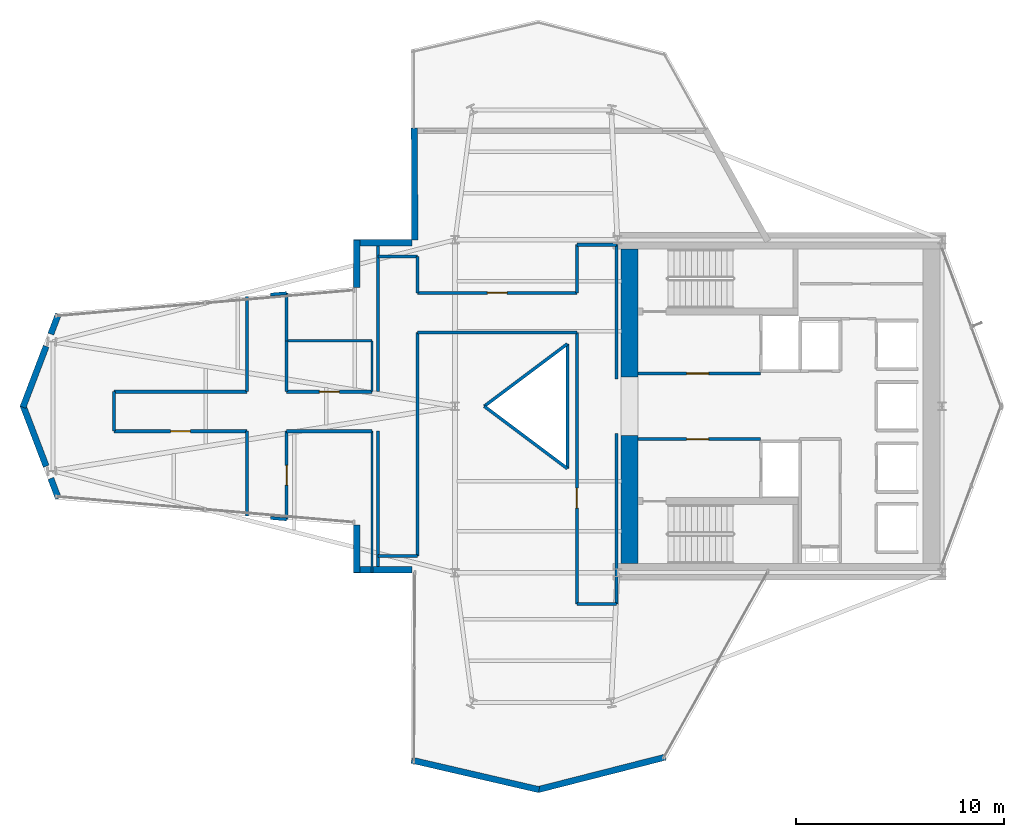
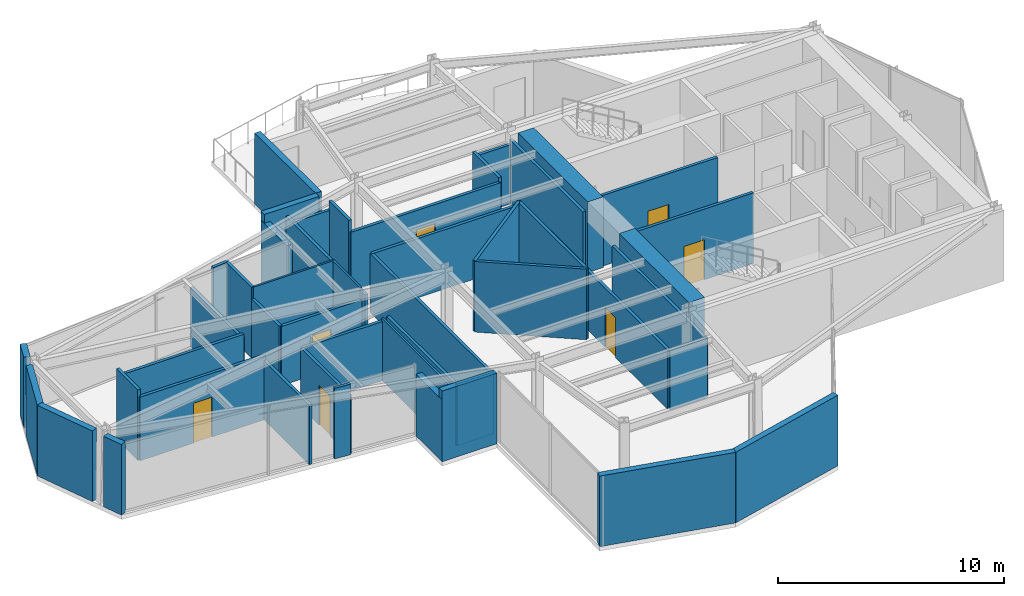
# One storey, part 19 of 23: 47 walls, 7 doors, 7 openings.
"""IFC4 building model written with IfcOpenShell, lengths in metres."""

from ifc_helpers import new_model, si_unit, direction, frame, frame_2d, origin, place, context, subcontext, project, spatial, rectangle, extrude, material, layer, layer_set, type_object, element, fill, save


model = new_model("IFC4")

# Units and contexts
model_context = context("Model", 3, precision=1e-05, world=origin(), true_north=direction((0.0, 1.0)))
body_context = subcontext(model_context, "Body", "Model", "MODEL_VIEW")
ifc_project = project(units=[si_unit("LENGTHUNIT", "METRE"), si_unit("AREAUNIT", "SQUARE_METRE"), si_unit("VOLUMEUNIT", "CUBIC_METRE"), si_unit("PLANEANGLEUNIT", "RADIAN"), si_unit("MASSUNIT", "GRAM", prefix="KILO")], contexts=[model_context])

# Site, building, storey
site_placement = place(None, origin())
site = spatial("IfcSite", under=ifc_project, at=site_placement, CompositionType="ELEMENT")
building_placement = place(site_placement, origin())
building = spatial("IfcBuilding", under=site, at=building_placement, Name="Veymaron Broadcast Tower", CompositionType="ELEMENT")
storey_placement = place(building_placement, frame((0.0, 0.0, 161.39990234375)))
storey = spatial("IfcBuildingStorey", under=building, at=storey_placement, Name="L37", CompositionType="ELEMENT", Elevation=161.39990234375)

# Walls
ifc_material_1 = material(Name="Precast concrete C40/50 with mineral-wool insulation", Category="concrete")
ifc_layer_1 = layer(ifc_material_1, 0.300048828125)
ifc_layer_set_1 = layer_set([ifc_layer_1], Name="Precast concrete C40/50 with mineral-wool insulation")
wall_type_1 = type_object("IfcWallType", Name="WALL-EXT-300", PredefinedType="STANDARD", material=ifc_layer_set_1)
wall_1_placement = place(storey_placement, frame((29.2392578125, 37.36669921875, 0.0), z_axis=(0.0, 0.0, 1.0), x_axis=(0.004686240002, -0.999989019517, 0.0)))
element("IfcWall", 1, at=wall_1_placement, inside=storey, type_object=wall_type_1, Name="L37 notched corner facade pier 8-1", PredefinedType="STANDARD", context=body_context, shape_type="SweptSolid", body=[
    extrude(rectangle(XDim=5.365966796875, YDim=0.300048828125, at=frame_2d((2.68310546875, 0.0))), origin(), (0.0, 0.0, 1.0), 3.81005859375),
])
wall_2_placement = place(storey_placement, frame((29.124267578125, 31.860107421875, 0.0), z_axis=(0.0, 0.0, 1.0), x_axis=(-1.0, 0.0, 0.0)))
element("IfcWall", 2, at=wall_2_placement, inside=storey, type_object=wall_type_1, Name="L37 notched corner facade pier 9-1", PredefinedType="STANDARD", context=body_context, shape_type="SweptSolid", body=[
    extrude(rectangle(XDim=2.79638671875, YDim=0.300048828125, at=frame_2d((1.398193359375, 0.0))), origin(), (0.0, 0.0, 1.0), 3.81005859375),
])
wall_3_placement = place(storey_placement, frame((26.468017578125, 32.0, 0.0), z_axis=(0.0, 0.0, 1.0), x_axis=(0.0, -1.0, 0.0)))
element("IfcWall", 3, at=wall_3_placement, inside=storey, type_object=wall_type_1, Name="L37 notched corner facade pier 10-1", PredefinedType="STANDARD", context=body_context, shape_type="SweptSolid", body=[
    extrude(rectangle(XDim=2.284423828125, YDim=0.300048828125, at=frame_2d((1.14208984375, 0.0))), origin(), (0.0, 0.0, 1.0), 3.338134765625),
])
wall_4_placement = place(storey_placement, frame((12.130859375, 28.425537109375, 0.0), z_axis=(0.0, 0.0, 1.0), x_axis=(-0.355806520877, -0.934559639457, 0.0)))
element("IfcWall", 4, at=wall_4_placement, inside=storey, type_object=wall_type_1, Name="L37 notched corner facade pier 12-1", PredefinedType="STANDARD", context=body_context, shape_type="SweptSolid", body=[
    extrude(rectangle(XDim=1.021728515625, YDim=0.300048828125, at=frame_2d((0.5107421875, 0.0))), origin(), (0.0, 0.0, 1.0), 3.81005859375),
])
for number, where, z_axis, x_axis, name in (
    (5, (11.543212890625, 26.882080078125, 0.0), (0.0, 0.0, 1.0), (-0.355869117874, -0.934535805062, 0.0), "L37 notched corner facade pier 12-2"),
    (6, (10.4267578125, 24.0498046875, 0.0), (0.0, 0.0, 1.0), (0.355869117874, -0.934535805062, 0.0), "L37 notched corner facade pier 13-1"),
):
    element("IfcWall", number, at=place(storey_placement, frame(where, z_axis=z_axis, x_axis=x_axis)), inside=storey, type_object=wall_type_1, Name=name, PredefinedType="STANDARD", context=body_context, shape_type="SweptSolid", body=[
        extrude(rectangle(XDim=3.13720703125, YDim=0.300048828125, at=frame_2d((1.568603515625, 0.0))), origin(), (0.0, 0.0, 1.0), 3.81005859375),
    ])
wall_5_placement = place(storey_placement, frame((11.767333984375, 20.529296875, 0.0), z_axis=(0.0, 0.0, 1.0), x_axis=(0.355806520877, -0.934559639457, 0.0)))
element("IfcWall", 7, at=wall_5_placement, inside=storey, type_object=wall_type_1, Name="L37 notched corner facade pier 13-2", PredefinedType="STANDARD", context=body_context, shape_type="SweptSolid", body=[
    extrude(rectangle(XDim=1.021728515625, YDim=0.300048828125, at=frame_2d((0.5107421875, 0.0))), origin(), (0.0, 0.0, 1.0), 3.81005859375),
])
wall_6_placement = place(storey_placement, frame((26.468017578125, 18.284423828125, 0.0), z_axis=(0.0, 0.0, 1.0), x_axis=(0.0, -1.0, 0.0)))
element("IfcWall", 8, at=wall_6_placement, inside=storey, type_object=wall_type_1, Name="L37 notched corner facade pier 15-1", PredefinedType="STANDARD", context=body_context, shape_type="SweptSolid", body=[
    extrude(rectangle(XDim=2.284423828125, YDim=0.300048828125, at=frame_2d((1.14208984375, 0.0))), origin(), (0.0, 0.0, 1.0), 3.338134765625),
])
wall_7_placement = place(storey_placement, frame((26.327880859375, 16.139892578125, 0.0), z_axis=(0.0, 0.0, 1.0), x_axis=(1.0, 0.0, 0.0)))
element("IfcWall", 9, at=wall_7_placement, inside=storey, type_object=wall_type_1, Name="L37 notched corner facade pier 16-1", PredefinedType="STANDARD", context=body_context, shape_type="SweptSolid", body=[
    extrude(rectangle(XDim=2.79638671875, YDim=0.300048828125, at=frame_2d((1.398193359375, 0.0))), origin(), (0.0, 0.0, 1.0), 3.81005859375),
])
wall_8_placement = place(storey_placement, frame((29.11328125, 6.990478515625, 0.0), z_axis=(0.0, 0.0, 1.0), x_axis=(0.974151093658, -0.225897425227, 0.0)))
element("IfcWall", 10, at=wall_8_placement, inside=storey, type_object=wall_type_1, Name="L37 notched corner facade pier 18-1", PredefinedType="STANDARD", context=body_context, shape_type="SweptSolid", body=[
    extrude(rectangle(XDim=6.286865234375, YDim=0.300048828125, at=frame_2d((3.1435546875, 0.0))), origin(), (0.0, 0.0, 1.0), 3.81005859375),
])
wall_9_placement = place(storey_placement, frame((35.17138671875, 5.569580078125, 0.0), z_axis=(0.0, 0.0, 1.0), x_axis=(0.968979537422, 0.24714096394, 0.0)))
element("IfcWall", 11, at=wall_9_placement, inside=storey, type_object=wall_type_1, Name="L37 notched corner facade pier 19-1", PredefinedType="STANDARD", context=body_context, shape_type="SweptSolid", body=[
    extrude(rectangle(XDim=6.3203125, YDim=0.300048828125, at=frame_2d((3.16015625, 0.0))), origin(), (0.0, 0.0, 1.0), 3.81005859375),
])

# Wall, opening, door
ifc_material_2 = material(Name="Gypsum fireboard and steel stud framing", Category="steel")
ifc_layer_2 = layer(ifc_material_2, 0.14990234375)
ifc_layer_set_2 = layer_set([ifc_layer_2], Name="Gypsum fireboard and steel stud framing")
wall_type_2 = type_object("IfcWallType", Name="WALL-FIRE-150", PredefinedType="PARTITIONING", material=ifc_layer_set_2)
wall_10_placement = place(storey_placement, frame((39.97998046875, 25.574951171875, 0.0), z_axis=(0.0, 0.0, 1.0), x_axis=(1.0, 0.0, 0.0)))
wall_10 = element("IfcWall", 12, at=wall_10_placement, inside=storey, type_object=wall_type_2, Name="L37 partition IW-L37-FFLN-S", PredefinedType="PARTITIONING", context=body_context, shape_type="SweptSolid", body=[
    extrude(rectangle(XDim=5.89990234375, YDim=0.14990234375, at=frame_2d((2.949951171875, 0.0))), origin(), (0.0, 0.0, 1.0), 3.81005859375),
])
opening_1_placement = place(wall_10_placement, frame((2.35009765625, 0.0, 0.0)))
opening_1 = element("IfcOpeningElement", 13, at=opening_1_placement, cuts=wall_10, Name="Opening ID-FL1", PredefinedType="OPENING", context=body_context, shape_type="SweptSolid", body=[
    extrude(rectangle(XDim=1.050048828125, YDim=2.14990234375, at=frame_2d((0.52490234375, 1.074951171875))), frame((0.0, 0.0849609375, 0.0), z_axis=(0.0, -1.0, 0.0), x_axis=(1.0, 0.0, 0.0)), (0.0, 0.0, 1.0), 0.169921875),
])
ifc_material_3 = material(Name="Fire-rated painted hollow steel ASTM A653", Category="steel")
door_type_1 = type_object("IfcDoorType", Name="DOOR-FIRE-1050", OperationType="NOTDEFINED", PredefinedType="DOOR", material=ifc_material_3)
door_1_placement = place(opening_1_placement, origin())
door_1 = element("IfcDoor", 14, at=door_1_placement, inside=storey, type_object=door_type_1, Name="L37 door DR-L37-FFLN", OperationType="SINGLE_SWING_LEFT", OverallHeight=2.14990234375, OverallWidth=1.050048828125, PredefinedType="DOOR", context=body_context, shape_type="SweptSolid", body=[
    extrude(rectangle(XDim=1.050048828125, YDim=2.14990234375, at=frame_2d((0.52490234375, 1.074951171875))), frame((0.0, 0.02490234375, 0.0), z_axis=(0.0, -1.0, 0.0), x_axis=(1.0, 0.0, 0.0)), (0.0, 0.0, 1.0), 0.050048828125),
])
fill(opening_1, door_1)

wall_11_placement = place(storey_placement, frame((39.97998046875, 22.425048828125, 0.0), z_axis=(0.0, 0.0, 1.0), x_axis=(1.0, 0.0, 0.0)))
wall_11 = element("IfcWall", 15, at=wall_11_placement, inside=storey, type_object=wall_type_2, Name="L37 partition IW-L37-FFLS-N", PredefinedType="PARTITIONING", context=body_context, shape_type="SweptSolid", body=[
    extrude(rectangle(XDim=5.89990234375, YDim=0.14990234375, at=frame_2d((2.949951171875, 0.0))), origin(), (0.0, 0.0, 1.0), 3.81005859375),
])
opening_2_placement = place(wall_11_placement, frame((2.35009765625, 0.0, 0.0)))
opening_2 = element("IfcOpeningElement", 16, at=opening_2_placement, cuts=wall_11, Name="Opening ID-FL1", PredefinedType="OPENING", context=body_context, shape_type="SweptSolid", body=[
    extrude(rectangle(XDim=1.050048828125, YDim=2.14990234375, at=frame_2d((0.52490234375, 1.074951171875))), frame((0.0, 0.0849609375, 0.0), z_axis=(0.0, -1.0, 0.0), x_axis=(1.0, 0.0, 0.0)), (0.0, 0.0, 1.0), 0.169921875),
])
door_2_placement = place(opening_2_placement, frame((1.050048828125, 0.0, 0.0), z_axis=(0.0, 0.0, 1.0), x_axis=(-1.0, 0.0, 0.0)))
door_2 = element("IfcDoor", 17, at=door_2_placement, inside=storey, type_object=door_type_1, Name="L37 door DR-L37-FFLS", OperationType="SINGLE_SWING_RIGHT", OverallHeight=2.14990234375, OverallWidth=1.050048828125, PredefinedType="DOOR", context=body_context, shape_type="SweptSolid", body=[
    extrude(rectangle(XDim=1.050048828125, YDim=2.14990234375, at=frame_2d((0.52490234375, 1.074951171875))), frame((0.0, 0.02490234375, 0.0), z_axis=(0.0, -1.0, 0.0), x_axis=(1.0, 0.0, 0.0)), (0.0, 0.0, 1.0), 0.050048828125),
])
fill(opening_2, door_2)

wall_12_placement = place(storey_placement, frame((37.050048828125, 14.5, 0.0), z_axis=(0.0, 0.0, 1.0), x_axis=(0.0, 1.0, 0.0)))
wall_12 = element("IfcWall", 18, at=wall_12_placement, inside=storey, type_object=wall_type_2, Name="L37 partition IW-L37-P01", PredefinedType="PARTITIONING", context=body_context, shape_type="SweptSolid", body=[
    extrude(rectangle(XDim=13.050048828125, YDim=0.14990234375, at=frame_2d((6.52490234375, 0.0))), origin(), (0.0, 0.0, 1.0), 3.190185546875),
])
opening_3_placement = place(wall_12_placement, frame((4.610107421875, 0.0, 0.0)))
opening_3 = element("IfcOpeningElement", 19, at=opening_3_placement, cuts=wall_12, Name="Opening ID-RM1", PredefinedType="OPENING", context=body_context, shape_type="SweptSolid", body=[
    extrude(rectangle(XDim=0.949951171875, YDim=2.14990234375, at=frame_2d((0.47509765625, 1.074951171875))), frame((0.0, 0.0849609375, 0.0), z_axis=(0.0, -1.0, 0.0), x_axis=(1.0, 0.0, 0.0)), (0.0, 0.0, 1.0), 0.169921875),
])
ifc_material_4 = material(Name="Acoustic solid-core European oak veneer timber", Category="wood")
door_type_2 = type_object("IfcDoorType", Name="DOOR-INT-950", OperationType="NOTDEFINED", PredefinedType="DOOR", material=ifc_material_4)
door_3_placement = place(opening_3_placement, frame((0.949951171875, 0.0, 0.0), z_axis=(0.0, 0.0, 1.0), x_axis=(-1.0, 0.0, 0.0)))
door_3 = element("IfcDoor", 20, at=door_3_placement, inside=storey, type_object=door_type_2, Name="L37 door DR-L37-P01", OperationType="SINGLE_SWING_RIGHT", OverallHeight=2.14990234375, OverallWidth=0.949951171875, PredefinedType="DOOR", context=body_context, shape_type="SweptSolid", body=[
    extrude(rectangle(XDim=0.949951171875, YDim=2.14990234375, at=frame_2d((0.47509765625, 1.074951171875))), frame((0.0, 0.02490234375, 0.0), z_axis=(0.0, -1.0, 0.0), x_axis=(1.0, 0.0, 0.0)), (0.0, 0.0, 1.0), 0.050048828125),
])
fill(opening_3, door_3)

wall_13_placement = place(storey_placement, frame((23.10009765625, 18.563720703125, 0.0), z_axis=(0.0, 0.0, 1.0), x_axis=(0.0, 1.0, 0.0)))
wall_13 = element("IfcWall", 21, at=wall_13_placement, inside=storey, type_object=wall_type_2, Name="L37 partition IW-L37-P08", PredefinedType="PARTITIONING", context=body_context, shape_type="SweptSolid", body=[
    extrude(rectangle(XDim=4.236328125, YDim=0.14990234375, at=frame_2d((2.1181640625, 0.0))), origin(), (0.0, 0.0, 1.0), 3.190185546875),
])
opening_4_placement = place(wall_13_placement, frame((1.64306640625, 0.0, 0.0)))
opening_4 = element("IfcOpeningElement", 22, at=opening_4_placement, cuts=wall_13, Name="Opening ID-RM1", PredefinedType="OPENING", context=body_context, shape_type="SweptSolid", body=[
    extrude(rectangle(XDim=0.949951171875, YDim=2.14990234375, at=frame_2d((0.47509765625, 1.074951171875))), frame((0.0, 0.0849609375, 0.0), z_axis=(0.0, -1.0, 0.0), x_axis=(1.0, 0.0, 0.0)), (0.0, 0.0, 1.0), 0.169921875),
])
door_4_placement = place(opening_4_placement, frame((0.949951171875, 0.0, 0.0), z_axis=(0.0, 0.0, 1.0), x_axis=(-1.0, 0.0, 0.0)))
door_4 = element("IfcDoor", 23, at=door_4_placement, inside=storey, type_object=door_type_2, Name="L37 door DR-L37-P08", OperationType="SINGLE_SWING_LEFT", OverallHeight=2.14990234375, OverallWidth=0.949951171875, PredefinedType="DOOR", context=body_context, shape_type="SweptSolid", body=[
    extrude(rectangle(XDim=0.949951171875, YDim=2.14990234375, at=frame_2d((0.47509765625, 1.074951171875))), frame((0.0, 0.02490234375, 0.0), z_axis=(0.0, -1.0, 0.0), x_axis=(1.0, 0.0, 0.0)), (0.0, 0.0, 1.0), 0.050048828125),
])
fill(opening_4, door_4)

wall_14_placement = place(storey_placement, frame((14.7958984375, 22.800048828125, 0.0), z_axis=(0.0, 0.0, 1.0), x_axis=(1.0, 0.0, 0.0)))
wall_14 = element("IfcWall", 24, at=wall_14_placement, inside=storey, type_object=wall_type_2, Name="L37 partition IW-L37-P11", PredefinedType="PARTITIONING", context=body_context, shape_type="SweptSolid", body=[
    extrude(rectangle(XDim=6.404052734375, YDim=0.14990234375, at=frame_2d((3.2021484375, 0.0))), origin(), (0.0, 0.0, 1.0), 3.443115234375),
])
opening_5_placement = place(wall_14_placement, frame((2.72705078125, 0.0, 0.0)))
opening_5 = element("IfcOpeningElement", 25, at=opening_5_placement, cuts=wall_14, Name="Opening ID-RM1", PredefinedType="OPENING", context=body_context, shape_type="SweptSolid", body=[
    extrude(rectangle(XDim=0.949951171875, YDim=2.14990234375, at=frame_2d((0.47509765625, 1.074951171875))), frame((0.0, 0.0849609375, 0.0), z_axis=(0.0, -1.0, 0.0), x_axis=(1.0, 0.0, 0.0)), (0.0, 0.0, 1.0), 0.169921875),
])
door_5_placement = place(opening_5_placement, frame((0.949951171875, 0.0, 0.0), z_axis=(0.0, 0.0, 1.0), x_axis=(-1.0, 0.0, 0.0)))
door_5 = element("IfcDoor", 26, at=door_5_placement, inside=storey, type_object=door_type_2, Name="L37 door DR-L37-P11", OperationType="SINGLE_SWING_RIGHT", OverallHeight=2.14990234375, OverallWidth=0.949951171875, PredefinedType="DOOR", context=body_context, shape_type="SweptSolid", body=[
    extrude(rectangle(XDim=0.949951171875, YDim=2.14990234375, at=frame_2d((0.47509765625, 1.074951171875))), frame((0.0, 0.02490234375, 0.0), z_axis=(0.0, -1.0, 0.0), x_axis=(1.0, 0.0, 0.0)), (0.0, 0.0, 1.0), 0.050048828125),
])
fill(opening_5, door_5)

wall_15_placement = place(storey_placement, frame((23.10009765625, 24.699951171875, 0.0), z_axis=(0.0, 0.0, 1.0), x_axis=(1.0, 0.0, 0.0)))
wall_15 = element("IfcWall", 27, at=wall_15_placement, inside=storey, type_object=wall_type_2, Name="L37 partition IW-L37-P16", PredefinedType="PARTITIONING", context=body_context, shape_type="SweptSolid", body=[
    extrude(rectangle(XDim=4.11279296875, YDim=0.14990234375, at=frame_2d((2.056396484375, 0.0))), origin(), (0.0, 0.0, 1.0), 3.190185546875),
])
opening_6_placement = place(wall_15_placement, frame((1.58154296875, 0.0, 0.0)))
opening_6 = element("IfcOpeningElement", 28, at=opening_6_placement, cuts=wall_15, Name="Opening ID-RM1", PredefinedType="OPENING", context=body_context, shape_type="SweptSolid", body=[
    extrude(rectangle(XDim=0.949951171875, YDim=2.14990234375, at=frame_2d((0.47509765625, 1.074951171875))), frame((0.0, 0.0849609375, 0.0), z_axis=(0.0, -1.0, 0.0), x_axis=(1.0, 0.0, 0.0)), (0.0, 0.0, 1.0), 0.169921875),
])
door_6_placement = place(opening_6_placement, origin())
door_6 = element("IfcDoor", 29, at=door_6_placement, inside=storey, type_object=door_type_2, Name="L37 door DR-L37-P16", OperationType="SINGLE_SWING_LEFT", OverallHeight=2.14990234375, OverallWidth=0.949951171875, PredefinedType="DOOR", context=body_context, shape_type="SweptSolid", body=[
    extrude(rectangle(XDim=0.949951171875, YDim=2.14990234375, at=frame_2d((0.47509765625, 1.074951171875))), frame((0.0, 0.02490234375, 0.0), z_axis=(0.0, -1.0, 0.0), x_axis=(1.0, 0.0, 0.0)), (0.0, 0.0, 1.0), 0.050048828125),
])
fill(opening_6, door_6)

wall_16_placement = place(storey_placement, frame((29.39990234375, 29.449951171875, 0.0), z_axis=(0.0, 0.0, 1.0), x_axis=(1.0, 0.0, 0.0)))
wall_16 = element("IfcWall", 30, at=wall_16_placement, inside=storey, type_object=wall_type_2, Name="L37 partition IW-L37-P18", PredefinedType="PARTITIONING", context=body_context, shape_type="SweptSolid", body=[
    extrude(rectangle(XDim=7.650146484375, YDim=0.14990234375, at=frame_2d((3.8251953125, 0.0))), origin(), (0.0, 0.0, 1.0), 3.190185546875),
])
opening_7_placement = place(wall_16_placement, frame((3.35009765625, 0.0, 0.0)))
opening_7 = element("IfcOpeningElement", 31, at=opening_7_placement, cuts=wall_16, Name="Opening ID-RM1", PredefinedType="OPENING", context=body_context, shape_type="SweptSolid", body=[
    extrude(rectangle(XDim=0.949951171875, YDim=2.14990234375, at=frame_2d((0.47509765625, 1.074951171875))), frame((0.0, 0.0849609375, 0.0), z_axis=(0.0, -1.0, 0.0), x_axis=(1.0, 0.0, 0.0)), (0.0, 0.0, 1.0), 0.169921875),
])
door_7_placement = place(opening_7_placement, origin())
door_7 = element("IfcDoor", 32, at=door_7_placement, inside=storey, type_object=door_type_2, Name="L37 door DR-L37-P18", OperationType="SINGLE_SWING_LEFT", OverallHeight=2.14990234375, OverallWidth=0.949951171875, PredefinedType="DOOR", context=body_context, shape_type="SweptSolid", body=[
    extrude(rectangle(XDim=0.949951171875, YDim=2.14990234375, at=frame_2d((0.47509765625, 1.074951171875))), frame((0.0, 0.02490234375, 0.0), z_axis=(0.0, -1.0, 0.0), x_axis=(1.0, 0.0, 0.0)), (0.0, 0.0, 1.0), 0.050048828125),
])
fill(opening_7, door_7)

# Walls
wall_17_placement = place(storey_placement, frame((29.39990234375, 16.800048828125, 0.0), z_axis=(0.0, 0.0, 1.0), x_axis=(0.0, 1.0, 0.0)))
element("IfcWall", 33, at=wall_17_placement, inside=storey, type_object=wall_type_2, Name="L37 partition IW-L37-P02", PredefinedType="PARTITIONING", context=body_context, shape_type="SweptSolid", body=[
    extrude(rectangle(XDim=10.75, YDim=0.14990234375, at=frame_2d((5.375, 0.0))), origin(), (0.0, 0.0, 1.0), 3.190185546875),
])
wall_18_placement = place(storey_placement, frame((38.949951171875, 14.5, 0.0), z_axis=(0.0, 0.0, 1.0), x_axis=(0.0, 1.0, 0.0)))
element("IfcWall", 34, at=wall_18_placement, inside=storey, type_object=wall_type_2, Name="L37 partition IW-L37-P03", PredefinedType="PARTITIONING", context=body_context, shape_type="SweptSolid", body=[
    extrude(rectangle(XDim=8.199951171875, YDim=0.14990234375, at=frame_2d((4.10009765625, 0.0))), origin(), (0.0, 0.0, 1.0), 3.190185546875),
])
wall_19_placement = place(storey_placement, frame((29.39990234375, 27.550048828125, 0.0), z_axis=(0.0, 0.0, 1.0), x_axis=(1.0, 0.0, 0.0)))
element("IfcWall", 35, at=wall_19_placement, inside=storey, type_object=wall_type_2, Name="L37 partition IW-L37-P04", PredefinedType="PARTITIONING", context=body_context, shape_type="SweptSolid", body=[
    extrude(rectangle(XDim=7.650146484375, YDim=0.14990234375, at=frame_2d((3.8251953125, 0.0))), origin(), (0.0, 0.0, 1.0), 3.190185546875),
])
wall_20_placement = place(storey_placement, frame((27.5, 16.139892578125, 0.0), z_axis=(0.0, 0.0, 1.0), x_axis=(0.0, 1.0, 0.0)))
element("IfcWall", 36, at=wall_20_placement, inside=storey, type_object=wall_type_2, Name="L37 partition IW-L37-P05", PredefinedType="PARTITIONING", context=body_context, shape_type="SweptSolid", body=[
    extrude(rectangle(XDim=6.66015625, YDim=0.14990234375, at=frame_2d((3.330078125, 0.0))), origin(), (0.0, 0.0, 1.0), 3.338134765625),
])
wall_21_placement = place(storey_placement, frame((37.050048828125, 14.5, 0.0), z_axis=(0.0, 0.0, 1.0), x_axis=(1.0, 0.0, 0.0)))
element("IfcWall", 37, at=wall_21_placement, inside=storey, type_object=wall_type_2, Name="L37 partition IW-L37-P06", PredefinedType="PARTITIONING", context=body_context, shape_type="SweptSolid", body=[
    extrude(rectangle(XDim=1.89990234375, YDim=0.14990234375, at=frame_2d((0.949951171875, 0.0))), origin(), (0.0, 0.0, 1.0), 3.190185546875),
])
wall_22_placement = place(storey_placement, frame((27.5, 16.800048828125, 0.0), z_axis=(0.0, 0.0, 1.0), x_axis=(1.0, 0.0, 0.0)))
element("IfcWall", 38, at=wall_22_placement, inside=storey, type_object=wall_type_2, Name="L37 partition IW-L37-P07", PredefinedType="PARTITIONING", context=body_context, shape_type="SweptSolid", body=[
    extrude(rectangle(XDim=1.89990234375, YDim=0.14990234375, at=frame_2d((0.949951171875, 0.0))), origin(), (0.0, 0.0, 1.0), 3.338134765625),
])
wall_23_placement = place(storey_placement, frame((23.10009765625, 22.800048828125, 0.0), z_axis=(0.0, 0.0, 1.0), x_axis=(1.0, 0.0, 0.0)))
element("IfcWall", 39, at=wall_23_placement, inside=storey, type_object=wall_type_2, Name="L37 partition IW-L37-P09", PredefinedType="PARTITIONING", context=body_context, shape_type="SweptSolid", body=[
    extrude(rectangle(XDim=4.11279296875, YDim=0.14990234375, at=frame_2d((2.056396484375, 0.0))), origin(), (0.0, 0.0, 1.0), 3.190185546875),
])
wall_24_placement = place(storey_placement, frame((22.328369140625, 18.630615234375, 0.0), z_axis=(0.0, 0.0, 1.0), x_axis=(0.996264203876, -0.086357605777, 0.0)))
element("IfcWall", 40, at=wall_24_placement, inside=storey, type_object=wall_type_2, Name="L37 partition IW-L37-P10", PredefinedType="PARTITIONING", context=body_context, shape_type="SweptSolid", body=[
    extrude(rectangle(XDim=0.774658203125, YDim=0.14990234375, at=frame_2d((0.38720703125, 0.0))), origin(), (0.0, 0.0, 1.0), 3.81005859375),
])
wall_25_placement = place(storey_placement, frame((14.7958984375, 24.699951171875, 0.0), z_axis=(0.0, 0.0, 1.0), x_axis=(1.0, 0.0, 0.0)))
element("IfcWall", 41, at=wall_25_placement, inside=storey, type_object=wall_type_2, Name="L37 partition IW-L37-P12", PredefinedType="PARTITIONING", context=body_context, shape_type="SweptSolid", body=[
    extrude(rectangle(XDim=6.404052734375, YDim=0.14990234375, at=frame_2d((3.2021484375, 0.0))), origin(), (0.0, 0.0, 1.0), 3.443115234375),
])
wall_26_placement = place(storey_placement, frame((21.199951171875, 24.699951171875, 0.0), z_axis=(0.0, 0.0, 1.0), x_axis=(0.0, 1.0, 0.0)))
element("IfcWall", 42, at=wall_26_placement, inside=storey, type_object=wall_type_2, Name="L37 partition IW-L37-P13", PredefinedType="PARTITIONING", context=body_context, shape_type="SweptSolid", body=[
    extrude(rectangle(XDim=4.57177734375, YDim=0.14990234375, at=frame_2d((2.285888671875, 0.0))), origin(), (0.0, 0.0, 1.0), 3.190185546875),
])
wall_27_placement = place(storey_placement, frame((21.199951171875, 18.728271484375, 0.0), z_axis=(0.0, 0.0, 1.0), x_axis=(0.0, 1.0, 0.0)))
element("IfcWall", 43, at=wall_27_placement, inside=storey, type_object=wall_type_2, Name="L37 partition IW-L37-P14", PredefinedType="PARTITIONING", context=body_context, shape_type="SweptSolid", body=[
    extrude(rectangle(XDim=4.07177734375, YDim=0.14990234375, at=frame_2d((2.035888671875, 0.0))), origin(), (0.0, 0.0, 1.0), 3.190185546875),
])
wall_28_placement = place(storey_placement, frame((14.7958984375, 22.800048828125, 0.0), z_axis=(0.0, 0.0, 1.0), x_axis=(0.0, 1.0, 0.0)))
element("IfcWall", 44, at=wall_28_placement, inside=storey, type_object=wall_type_2, Name="L37 partition IW-L37-P15", PredefinedType="PARTITIONING", context=body_context, shape_type="SweptSolid", body=[
    extrude(rectangle(XDim=1.89990234375, YDim=0.14990234375, at=frame_2d((0.949951171875, 0.0))), origin(), (0.0, 0.0, 1.0), 3.81005859375),
])
wall_29_placement = place(storey_placement, frame((23.10009765625, 24.699951171875, 0.0), z_axis=(0.0, 0.0, 1.0), x_axis=(0.0, 1.0, 0.0)))
element("IfcWall", 45, at=wall_29_placement, inside=storey, type_object=wall_type_2, Name="L37 partition IW-L37-P17", PredefinedType="PARTITIONING", context=body_context, shape_type="SweptSolid", body=[
    extrude(rectangle(XDim=2.447998046875, YDim=0.14990234375, at=frame_2d((1.22412109375, 0.0))), origin(), (0.0, 0.0, 1.0), 3.190185546875),
])
wall_30_placement = place(storey_placement, frame((27.5, 24.699951171875, 0.0), z_axis=(0.0, 0.0, 1.0), x_axis=(0.0, 1.0, 0.0)))
element("IfcWall", 46, at=wall_30_placement, inside=storey, type_object=wall_type_2, Name="L37 partition IW-L37-P19", PredefinedType="PARTITIONING", context=body_context, shape_type="SweptSolid", body=[
    extrude(rectangle(XDim=7.16015625, YDim=0.14990234375, at=frame_2d((3.580078125, 0.0))), origin(), (0.0, 0.0, 1.0), 3.338134765625),
])
wall_31_placement = place(storey_placement, frame((38.949951171875, 25.300048828125, 0.0), z_axis=(0.0, 0.0, 1.0), x_axis=(0.0, 1.0, 0.0)))
element("IfcWall", 47, at=wall_31_placement, inside=storey, type_object=wall_type_2, Name="L37 partition IW-L37-P20", PredefinedType="PARTITIONING", context=body_context, shape_type="SweptSolid", body=[
    extrude(rectangle(XDim=6.466064453125, YDim=0.14990234375, at=frame_2d((3.23291015625, 0.0))), origin(), (0.0, 0.0, 1.0), 3.443115234375),
])
wall_32_placement = place(storey_placement, frame((37.050048828125, 29.449951171875, 0.0), z_axis=(0.0, 0.0, 1.0), x_axis=(0.0, 1.0, 0.0)))
element("IfcWall", 48, at=wall_32_placement, inside=storey, type_object=wall_type_2, Name="L37 partition IW-L37-P21", PredefinedType="PARTITIONING", context=body_context, shape_type="SweptSolid", body=[
    extrude(rectangle(XDim=2.316162109375, YDim=0.14990234375, at=frame_2d((1.158203125, 0.0))), origin(), (0.0, 0.0, 1.0), 3.443115234375),
])
wall_33_placement = place(storey_placement, frame((23.10009765625, 27.14794921875, 0.0), z_axis=(0.0, 0.0, 1.0), x_axis=(0.0, 1.0, 0.0)))
element("IfcWall", 49, at=wall_33_placement, inside=storey, type_object=wall_type_2, Name="L37 partition IW-L37-P22", PredefinedType="PARTITIONING", context=body_context, shape_type="SweptSolid", body=[
    extrude(rectangle(XDim=2.288330078125, YDim=0.14990234375, at=frame_2d((1.14404296875, 0.0))), origin(), (0.0, 0.0, 1.0), 3.81005859375),
])
wall_34_placement = place(storey_placement, frame((37.050048828125, 31.76611328125, 0.0), z_axis=(0.0, 0.0, 1.0), x_axis=(1.0, 0.0, 0.0)))
element("IfcWall", 50, at=wall_34_placement, inside=storey, type_object=wall_type_2, Name="L37 partition IW-L37-P23", PredefinedType="PARTITIONING", context=body_context, shape_type="SweptSolid", body=[
    extrude(rectangle(XDim=1.89990234375, YDim=0.14990234375, at=frame_2d((0.949951171875, 0.0))), origin(), (0.0, 0.0, 1.0), 3.190185546875),
])
wall_35_placement = place(storey_placement, frame((27.5, 31.199951171875, 0.0), z_axis=(0.0, 0.0, 1.0), x_axis=(1.0, 0.0, 0.0)))
element("IfcWall", 51, at=wall_35_placement, inside=storey, type_object=wall_type_2, Name="L37 partition IW-L37-P24", PredefinedType="PARTITIONING", context=body_context, shape_type="SweptSolid", body=[
    extrude(rectangle(XDim=1.89990234375, YDim=0.14990234375, at=frame_2d((0.949951171875, 0.0))), origin(), (0.0, 0.0, 1.0), 3.338134765625),
])
wall_36_placement = place(storey_placement, frame((29.39990234375, 29.449951171875, 0.0), z_axis=(0.0, 0.0, 1.0), x_axis=(0.0, 1.0, 0.0)))
element("IfcWall", 52, at=wall_36_placement, inside=storey, type_object=wall_type_2, Name="L37 partition IW-L37-P25", PredefinedType="PARTITIONING", context=body_context, shape_type="SweptSolid", body=[
    extrude(rectangle(XDim=1.75, YDim=0.14990234375, at=frame_2d((0.875, 0.0))), origin(), (0.0, 0.0, 1.0), 3.81005859375),
])
wall_37_placement = place(storey_placement, frame((22.328369140625, 29.369384765625, 0.0), z_axis=(0.0, 0.0, 1.0), x_axis=(0.996264203876, 0.086357605777, 0.0)))
element("IfcWall", 53, at=wall_37_placement, inside=storey, type_object=wall_type_2, Name="L37 partition IW-L37-P26", PredefinedType="PARTITIONING", context=body_context, shape_type="SweptSolid", body=[
    extrude(rectangle(XDim=0.774658203125, YDim=0.14990234375, at=frame_2d((0.38720703125, 0.0))), origin(), (0.0, 0.0, 1.0), 3.81005859375),
])
ifc_material_5 = material(Name="Fire-rated laminated glass in aluminium frame", Category="aluminium")
ifc_layer_3 = layer(ifc_material_5, 0.14990234375)
ifc_layer_set_3 = layer_set([ifc_layer_3], Name="Fire-rated laminated glass in aluminium frame")
wall_type_3 = type_object("IfcWallType", Name="WALL-GLZ-150", PredefinedType="MOVABLE", material=ifc_layer_set_3)
wall_38_placement = place(storey_placement, frame((32.60009765625, 24.0, 0.0), z_axis=(0.0, 0.0, 1.0), x_axis=(0.8, -0.6, 0.0)))
element("IfcWall", 54, at=wall_38_placement, inside=storey, type_object=wall_type_3, Name="L37 partition IW-L37-ATR1", PredefinedType="MOVABLE", context=body_context, shape_type="SweptSolid", body=[
    extrude(rectangle(XDim=5.0, YDim=0.14990234375, at=frame_2d((2.5, 0.0))), origin(), (0.0, 0.0, 1.0), 3.81005859375),
])
wall_39_placement = place(storey_placement, frame((36.60009765625, 21.0, 0.0), z_axis=(0.0, 0.0, 1.0), x_axis=(0.0, 1.0, 0.0)))
element("IfcWall", 55, at=wall_39_placement, inside=storey, type_object=wall_type_3, Name="L37 partition IW-L37-ATR2", PredefinedType="MOVABLE", context=body_context, shape_type="SweptSolid", body=[
    extrude(rectangle(XDim=6.0, YDim=0.14990234375, at=frame_2d((3.0, 0.0))), origin(), (0.0, 0.0, 1.0), 3.81005859375),
])
wall_40_placement = place(storey_placement, frame((36.60009765625, 27.0, 0.0), z_axis=(0.0, 0.0, 1.0), x_axis=(-0.8, -0.6, 0.0)))
element("IfcWall", 56, at=wall_40_placement, inside=storey, type_object=wall_type_3, Name="L37 partition IW-L37-ATR3", PredefinedType="MOVABLE", context=body_context, shape_type="SweptSolid", body=[
    extrude(rectangle(XDim=5.0, YDim=0.14990234375, at=frame_2d((2.5, 0.0))), origin(), (0.0, 0.0, 1.0), 3.81005859375),
])
ifc_material_6 = material(Name="Acoustic gypsum board and galvanized stud", Category="gypsum")
ifc_layer_4 = layer(ifc_material_6, 0.10009765625)
ifc_layer_set_4 = layer_set([ifc_layer_4], Name="Acoustic gypsum board and galvanized stud")
wall_type_4 = type_object("IfcWallType", Name="WALL-PART-100", PredefinedType="PARTITIONING", material=ifc_layer_set_4)
wall_41_placement = place(storey_placement, frame((27.212890625, 16.0, 0.0), z_axis=(0.0, 0.0, 1.0), x_axis=(0.0, 1.0, 0.0)))
element("IfcWall", 57, at=wall_41_placement, inside=storey, type_object=wall_type_4, Name="L37 partition IW-L37-P27", PredefinedType="PARTITIONING", context=body_context, shape_type="SweptSolid", body=[
    extrude(rectangle(XDim=6.800048828125, YDim=0.10009765625, at=frame_2d((3.39990234375, 0.0))), origin(), (0.0, 0.0, 1.0), 3.338134765625),
])
wall_42_placement = place(storey_placement, frame((23.10009765625, 27.14794921875, 0.0), z_axis=(0.0, 0.0, 1.0), x_axis=(1.0, 0.0, 0.0)))
element("IfcWall", 58, at=wall_42_placement, inside=storey, type_object=wall_type_4, Name="L37 partition IW-L37-P28", PredefinedType="PARTITIONING", context=body_context, shape_type="SweptSolid", body=[
    extrude(rectangle(XDim=4.11279296875, YDim=0.10009765625, at=frame_2d((2.056396484375, 0.0))), origin(), (0.0, 0.0, 1.0), 3.81005859375),
])
wall_43_placement = place(storey_placement, frame((27.212890625, 24.699951171875, 0.0), z_axis=(0.0, 0.0, 1.0), x_axis=(0.0, 1.0, 0.0)))
element("IfcWall", 59, at=wall_43_placement, inside=storey, type_object=wall_type_4, Name="L37 partition IW-L37-P29", PredefinedType="PARTITIONING", context=body_context, shape_type="SweptSolid", body=[
    extrude(rectangle(XDim=2.447998046875, YDim=0.10009765625, at=frame_2d((1.22412109375, 0.0))), origin(), (0.0, 0.0, 1.0), 3.81005859375),
])
ifc_material_7 = material(Name="Concrete C60/75", Category="concrete")
ifc_layer_5 = layer(ifc_material_7, 0.800048828125)
ifc_layer_set_5 = layer_set([ifc_layer_5], Name="Concrete C60/75")
wall_type_5 = type_object("IfcWallType", Name="WALL-SHEAR-800", PredefinedType="SHEAR", material=ifc_layer_set_5)
for number, where, z_axis, x_axis, name in (
    (60, (39.580078125, 16.449951171875, 0.0), (0.0, 0.0, 1.0), (0.0, 1.0, 0.0), "L37 Core Wall west-south shear"),
    (61, (39.580078125, 25.39990234375, 0.0), (0.0, 0.0, 1.0), (0.0, 1.0, 0.0), "L37 Core Wall west-north shear"),
):
    element("IfcWall", number, at=place(storey_placement, frame(where, z_axis=z_axis, x_axis=x_axis)), inside=storey, type_object=wall_type_5, Name=name, PredefinedType="SHEAR", context=body_context, shape_type="SweptSolid", body=[
        extrude(rectangle(XDim=6.150146484375, YDim=0.800048828125, at=frame_2d((3.0751953125, 0.0))), origin(), (0.0, 0.0, 1.0), 3.81005859375),
    ])

save(model, "model.ifc")
